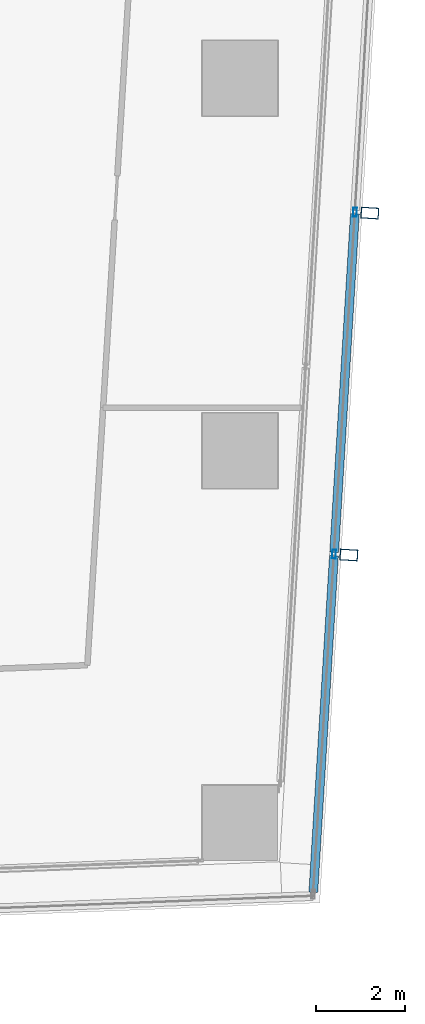
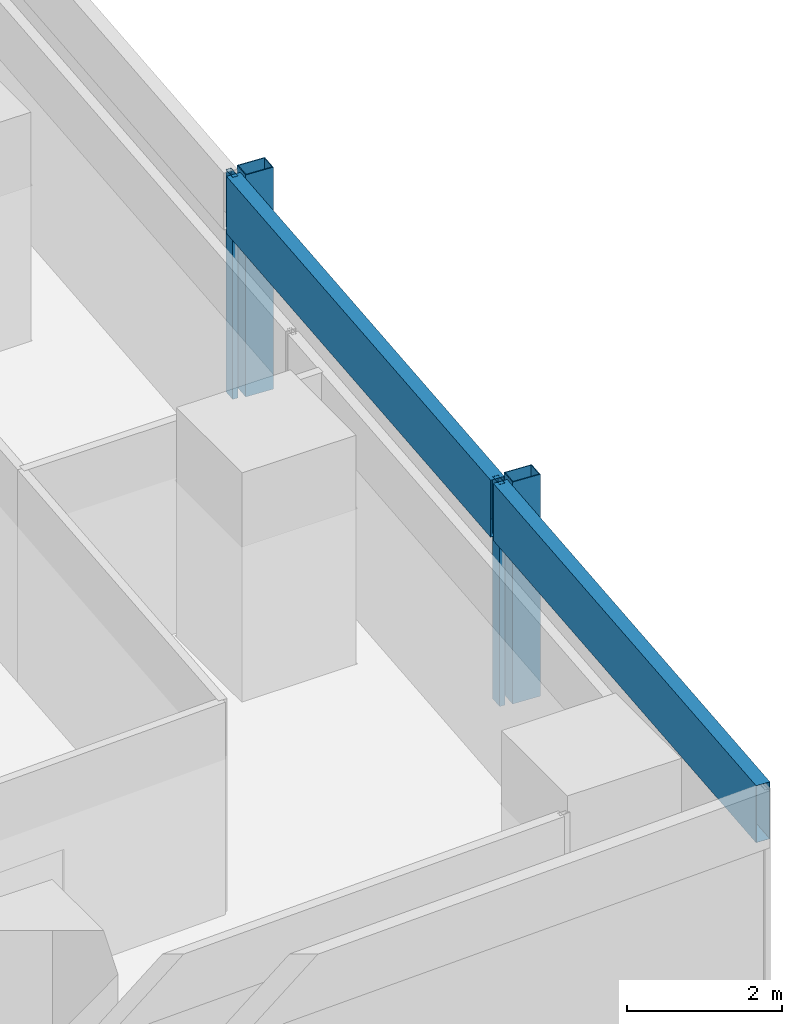
# One storey, part 23 of 40: 6 members, 1 element without a shape of its own.
"""IFC4 building model written with IfcOpenShell, lengths in metres."""

import ifcopenshell
import ifcopenshell.guid

model = None  # the IFC model being written
_history = None  # IfcOwnerHistory: only IFC2X3 demands one
_inside = {}  # id of a spatial element -> (the spatial element, [elements in it])
_under = {}  # id of a project, library or spatial element -> (it, [spatial elements below it])
_declared = {}  # id of a project -> (the project, [libraries it declares])
_typed = {}  # id of a type object -> (the type object, [elements of that type])
_made_of = {}  # id of a material, layer set ... -> (it, [elements and type objects made of it])


def new_model(schema):
    """Start an empty IFC model of exactly this schema.

    Asked for "IFC4X3", IfcOpenShell would pick the latest addendum, in which some entities
    have other attributes; the version numbers below select the first issue.
    IFC2X3 requires an IfcOwnerHistory on every rooted entity: one is made here for all.
    """
    global model, _history
    if schema == "IFC4X3":
        model = ifcopenshell.file(schema_version=(4, 3, 0, 0))
    else:
        model = ifcopenshell.file(schema=schema)
    _inside.clear()
    _under.clear()
    _declared.clear()
    _typed.clear()
    _made_of.clear()
    _history = None
    if model.schema == "IFC2X3":
        org = make("IfcOrganization", Name="unknown")
        user = make(
            "IfcPersonAndOrganization",
            ThePerson=make("IfcPerson", FamilyName="unknown"),
            TheOrganization=org,
        )
        app = make(
            "IfcApplication",
            ApplicationDeveloper=org,
            Version="unknown",
            ApplicationFullName="unknown",
            ApplicationIdentifier="unknown",
        )
        _history = make(
            "IfcOwnerHistory",
            OwningUser=user,
            OwningApplication=app,
            ChangeAction="ADDED",
            CreationDate=0,
        )
    return model


def make(cls, **values):
    """One entity of the class cls with the attributes given. An attribute that is None is left unset."""
    return model.create_entity(
        cls, **{name: value for name, value in values.items() if value is not None}
    )


def rooted(cls, **values):
    """An entity with a GlobalId (a new one), such as an element, a storey or a relation."""
    return make(cls, GlobalId=ifcopenshell.guid.new(), OwnerHistory=_history, **values)


def si_unit(unit_type, name, prefix=None):
    """IfcSIUnit, for example si_unit("LENGTHUNIT", "METRE", prefix="MILLI")."""
    return make("IfcSIUnit", UnitType=unit_type, Prefix=prefix, Name=name)


def assignment(units):
    """IfcUnitAssignment: the units of a project."""
    return None if units is None else make("IfcUnitAssignment", Units=units)


def point(xyz):
    """IfcCartesianPoint."""
    return None if xyz is None else make("IfcCartesianPoint", Coordinates=xyz)


def direction(xyz):
    """IfcDirection."""
    return None if xyz is None else make("IfcDirection", DirectionRatios=xyz)


def frame(location, z_axis=None, x_axis=None):
    """IfcAxis2Placement3D, a coordinate frame: its origin and axes. An axis left out is left unset."""
    return make(
        "IfcAxis2Placement3D",
        Location=point(location),
        Axis=direction(z_axis),
        RefDirection=direction(x_axis),
    )


def frame_2d(location, x_axis=None):
    """IfcAxis2Placement2D, a coordinate frame in the plane: its origin and x axis."""
    return make(
        "IfcAxis2Placement2D", Location=point(location), RefDirection=direction(x_axis)
    )


def origin():
    """The frame at (0, 0, 0) with its axes left unset."""
    return frame((0.0, 0.0, 0.0))


def origin_2d():
    """The frame at (0, 0) in the plane with its x axis left unset."""
    return frame_2d((0.0, 0.0))


def place(relative_to, where):
    """IfcLocalPlacement: puts the frame where relative to a parent placement (None: the world)."""
    return make(
        "IfcLocalPlacement", PlacementRelTo=relative_to, RelativePlacement=where
    )


def context(
    kind, dimensions, precision=None, world=None, true_north=None, identifier=None
):
    """IfcGeometricRepresentationContext, for example the 3D "Model" context."""
    return make(
        "IfcGeometricRepresentationContext",
        ContextIdentifier=identifier,
        ContextType=kind,
        CoordinateSpaceDimension=dimensions,
        Precision=precision,
        WorldCoordinateSystem=world,
        TrueNorth=true_north,
    )


def subcontext(parent, identifier, kind, view, scale=None):
    """IfcGeometricRepresentationSubContext, for example "Body" below "Model"."""
    return make(
        "IfcGeometricRepresentationSubContext",
        ContextIdentifier=identifier,
        ContextType=kind,
        ParentContext=parent,
        TargetScale=scale,
        TargetView=view,
    )


def project(units=None, contexts=None):
    """IfcProject with its units and contexts."""
    return rooted(
        "IfcProject",
        Name="project",
        RepresentationContexts=contexts,
        UnitsInContext=assignment(units),
    )


def spatial(cls, under=None, at=None, **own):
    """A site, building, storey or space (cls), placed at a placement, below another one or the project."""
    s = rooted(cls, ObjectPlacement=at, **own)
    if under is not None:
        _under.setdefault(under.id(), (under, []))[1].append(s)
    return s


def profile(cls, at=None, kind="AREA", **sizes):
    """A parametric profile (cls). Its sizes go by their IFC names, for example OverallWidth=200.0."""
    return make(cls, ProfileType=kind, Position=at, **sizes)


def hollow_rectangle(**sizes):
    """IfcRectangleHollowProfileDef."""
    return profile("IfcRectangleHollowProfileDef", **sizes)


def extrude(swept, where, along, depth):
    """IfcExtrudedAreaSolid: the profile swept, set in the frame where, extruded along a direction by depth."""
    return make(
        "IfcExtrudedAreaSolid",
        SweptArea=swept,
        Position=where,
        ExtrudedDirection=direction(along),
        Depth=depth,
    )


def shape(context_of_items, identifier, shape_type, items):
    """IfcShapeRepresentation: the items that make up one representation, for example the "Body"."""
    return make(
        "IfcShapeRepresentation",
        ContextOfItems=context_of_items,
        RepresentationIdentifier=identifier,
        RepresentationType=shape_type,
        Items=items,
    )


def material(Name=None, Category=None):
    """IfcMaterial."""
    return make("IfcMaterial", Name=Name, Category=Category)


def material_profile(
    of_material, cross_section, Name=None, Category=None, Priority=None
):
    """IfcMaterialProfile: a cross section and its material."""
    return make(
        "IfcMaterialProfile",
        Name=Name,
        Material=of_material,
        Profile=cross_section,
        Priority=Priority,
        Category=Category,
    )


def profile_set(profiles, Name=None, composite=None):
    """IfcMaterialProfileSet."""
    return make(
        "IfcMaterialProfileSet",
        Name=Name,
        MaterialProfiles=profiles,
        CompositeProfile=composite,
    )


def made_of(thing, what):
    """Note that an element or type object is made of a material, layer set ...; save() writes the relation."""
    if what is not None:
        _made_of.setdefault(what.id(), (what, []))[1].append(thing)
    return thing


def type_object(cls, material=None, **own):
    """A type object (cls), such as IfcWallType, which elements share."""
    return made_of(rooted(cls, **own), material)


def element(
    cls,
    number,
    at=None,
    inside=None,
    cuts=None,
    type_object=None,
    material=None,
    context=None,
    identifier="Body",
    shape_type=None,
    held_by="IfcProductDefinitionShape",
    body=None,
    shapes=None,
    **own,
):
    """One element of the class cls, such as IfcWall. Its Tag is "e" and its number.

    at: its placement. inside: the storey or other place that contains it. cuts: it is an
    opening in that element (IfcRelVoidsElement). A single representation is given by context,
    identifier, shape_type and body (its items); several are given by shapes. held_by: the class
    of the entity that holds the representations. save() writes the other relations.
    """
    e = rooted(cls, Tag="e%d" % number, ObjectPlacement=at, **own)
    if body is not None:
        shapes = [shape(context, identifier, shape_type, body)]
    if shapes is not None:
        e.Representation = make(held_by, Representations=shapes)
    if inside is not None:
        _inside.setdefault(inside.id(), (inside, []))[1].append(e)
    if cuts is not None:
        rooted(
            "IfcRelVoidsElement", RelatingBuildingElement=cuts, RelatedOpeningElement=e
        )
    if type_object is not None:
        _typed.setdefault(type_object.id(), (type_object, []))[1].append(e)
    return made_of(e, material)


def aggregate(whole, parts):
    """IfcRelAggregates: a whole, such as a stair, and the parts it consists of."""
    return rooted("IfcRelAggregates", RelatingObject=whole, RelatedObjects=parts)


def save(model, path):
    """Write the relations noted so far, then the file.

    IfcRelAggregates (storeys below a building ...), IfcRelContainedInSpatialStructure (elements
    in a storey), IfcRelDefinesByType, IfcRelAssociatesMaterial and IfcRelDeclares: one each for
    every whole, place, type object, material and project.
    """
    for whole, parts in _under.values():
        aggregate(whole, parts)
    for where, things in _inside.values():
        rooted(
            "IfcRelContainedInSpatialStructure",
            RelatedElements=things,
            RelatingStructure=where,
        )
    for kind, things in _typed.values():
        rooted("IfcRelDefinesByType", RelatedObjects=things, RelatingType=kind)
    for what, things in _made_of.values():
        rooted("IfcRelAssociatesMaterial", RelatedObjects=things, RelatingMaterial=what)
    for by, libraries in _declared.values():
        rooted("IfcRelDeclares", RelatingContext=by, RelatedDefinitions=libraries)
    model.write(path)


model = new_model("IFC4")

# Units and contexts
model_context = context("Model", 3, precision=1e-05, world=origin(), true_north=direction((0.0, 1.0)))
body_context = subcontext(model_context, "Body", "Model", "MODEL_VIEW")
ifc_project = project(units=[si_unit("LENGTHUNIT", "METRE"), si_unit("AREAUNIT", "SQUARE_METRE"), si_unit("VOLUMEUNIT", "CUBIC_METRE"), si_unit("PLANEANGLEUNIT", "RADIAN"), si_unit("MASSUNIT", "GRAM", prefix="KILO")], contexts=[model_context])

# Site, building, storey
site_placement = place(None, origin())
site = spatial("IfcSite", under=ifc_project, at=site_placement, CompositionType="ELEMENT")
building_placement = place(site_placement, origin())
building = spatial("IfcBuilding", under=site, at=building_placement, Name="Rekha Terrace Tower", CompositionType="ELEMENT")
storey_placement = place(building_placement, frame((0.0, 0.0, 110.300048828125)))
storey = spatial("IfcBuildingStorey", under=building, at=storey_placement, Name="L27", CompositionType="ELEMENT", Elevation=110.300048828125)

# Curtain wall, members
ifc_material_1 = material(Name="Aluminium framing", Category="aluminium")
curtain_wall_type = type_object("IfcCurtainWallType", Name="CW2 double skin outer glazing", PredefinedType="USERDEFINED", material=ifc_material_1)
curtain_wall_placement = place(storey_placement, origin())
curtain_wall = element("IfcCurtainWall", 1, at=curtain_wall_placement, inside=storey, type_object=curtain_wall_type, Name="CW2 double skin outer glazing", ObjectType="DOUBLE SKIN OUTER GLAZING", PredefinedType="USERDEFINED")
ifc_material_2 = material(Name="Steel S355 with fluorocarbon finish", Category="steel")
ifc_material_profile_1 = material_profile(ifc_material_2, hollow_rectangle(XDim=0.25, YDim=0.39990234375, WallThickness=0.012451171875, at=origin_2d()), Name="RHS400x250x12.5")
ifc_profile_set_1 = profile_set([ifc_material_profile_1], Name="Steel S355 with fluorocarbon finish")
member_type_1 = type_object("IfcMemberType", Name="BL1 facade blade RHS 400 x 250", PredefinedType="USERDEFINED", material=ifc_profile_set_1)
member_1_placement = place(storey_placement, frame((69.656005859375, 22.845703125, 0.0), z_axis=(0.0, 0.0, 1.0), x_axis=(0.061160031881, 0.998127973008, 0.0)))
member_1 = element("IfcMember", 2, at=member_1_placement, type_object=member_type_1, Name="Facade blade", ObjectType="FACADE BLADE", PredefinedType="USERDEFINED", context=body_context, shape_type="SweptSolid", body=[
    extrude(hollow_rectangle(XDim=0.25, YDim=0.39990234375, WallThickness=0.012451171875, at=origin_2d()), origin(), (0.0, 0.0, 1.0), 3.5),
])
member_2_placement = place(storey_placement, frame((70.128662109375, 30.557861328125, 0.0), z_axis=(0.0, 0.0, 1.0), x_axis=(0.061160031881, 0.998127973008, 0.0)))
member_2 = element("IfcMember", 3, at=member_2_placement, type_object=member_type_1, Name="Facade blade", ObjectType="FACADE BLADE", PredefinedType="USERDEFINED", context=body_context, shape_type="SweptSolid", body=[
    extrude(hollow_rectangle(XDim=0.25, YDim=0.39990234375, WallThickness=0.012451171875, at=origin_2d()), origin(), (0.0, 0.0, 1.0), 3.5),
])
ifc_material_3 = material(Name="Aluminium mullion section", Category="aluminium")
ifc_material_profile_2 = material_profile(ifc_material_3, hollow_rectangle(XDim=0.080078125, YDim=0.199951171875, WallThickness=0.00390625, at=origin_2d()), Name="AL RHS 80x200")
ifc_profile_set_2 = profile_set([ifc_material_profile_2], Name="Aluminium mullion section")
member_type_2 = type_object("IfcMemberType", Name="CW2 mullion RHS 80 x 200", PredefinedType="MULLION", material=ifc_profile_set_2)
member_3_placement = place(storey_placement, frame((69.32177734375, 22.8662109375, 0.0), z_axis=(0.0, 0.0, 1.0), x_axis=(-0.998127987024, 0.061159803131, 0.0)))
member_3 = element("IfcMember", 4, at=member_3_placement, type_object=member_type_2, Name="CW2 mullion 2", PredefinedType="MULLION", context=body_context, shape_type="SweptSolid", body=[
    extrude(hollow_rectangle(XDim=0.080078125, YDim=0.199951171875, WallThickness=0.00390625, at=origin_2d()), origin(), (0.0, 0.0, 1.0), 3.5),
])
member_4_placement = place(storey_placement, frame((69.794189453125, 30.578369140625, 0.0), z_axis=(0.0, 0.0, 1.0), x_axis=(-0.998127987024, 0.061159803131, 0.0)))
member_4 = element("IfcMember", 5, at=member_4_placement, type_object=member_type_2, Name="CW2 mullion 3", PredefinedType="MULLION", context=body_context, shape_type="SweptSolid", body=[
    extrude(hollow_rectangle(XDim=0.080078125, YDim=0.199951171875, WallThickness=0.00390625, at=origin_2d()), origin(), (0.0, 0.0, 1.0), 3.5),
])
ifc_material_4 = material(Name="Insulated aluminium spandrel box", Category="aluminium")
ifc_material_profile_3 = material_profile(ifc_material_4, hollow_rectangle(XDim=0.199951171875, YDim=0.89990234375, WallThickness=0.0029296875, at=origin_2d()), Name="AL SPANDREL BOX 200x900")
ifc_profile_set_3 = profile_set([ifc_material_profile_3], Name="Insulated aluminium spandrel box")
member_type_3 = type_object("IfcMemberType", Name="CW2 spandrel transom 200 x 900", PredefinedType="USERDEFINED", material=ifc_profile_set_3)
member_5_placement = place(storey_placement, frame((68.85400390625, 15.234130859375, 3.050048828125), z_axis=(0.061175320944, 0.998127036057, 0.0), x_axis=(-0.998127036057, 0.061175320944, 0.0)))
member_5 = element("IfcMember", 6, at=member_5_placement, type_object=member_type_3, Name="CW2 spandrel transom 1", ObjectType="TRANSOM", PredefinedType="USERDEFINED", context=body_context, shape_type="SweptSolid", body=[
    extrude(hollow_rectangle(XDim=0.199951171875, YDim=0.89990234375, WallThickness=0.0029296875, at=origin_2d()), origin(), (0.0, 0.0, 1.0), 7.6064453125),
])
member_6_placement = place(storey_placement, frame((69.32421875, 22.90625, 3.050048828125), z_axis=(0.061141871886, 0.998129085591, 0.0), x_axis=(-0.998129085591, 0.061141871886, 0.0)))
member_6 = element("IfcMember", 7, at=member_6_placement, type_object=member_type_3, Name="CW2 spandrel transom 2", ObjectType="TRANSOM", PredefinedType="USERDEFINED", context=body_context, shape_type="SweptSolid", body=[
    extrude(hollow_rectangle(XDim=0.199951171875, YDim=0.89990234375, WallThickness=0.0029296875, at=origin_2d()), origin(), (0.0, 0.0, 1.0), 7.646728515625),
])
aggregate(curtain_wall, [member_3, member_4, member_5, member_6, member_1, member_2])

save(model, "model.ifc")
